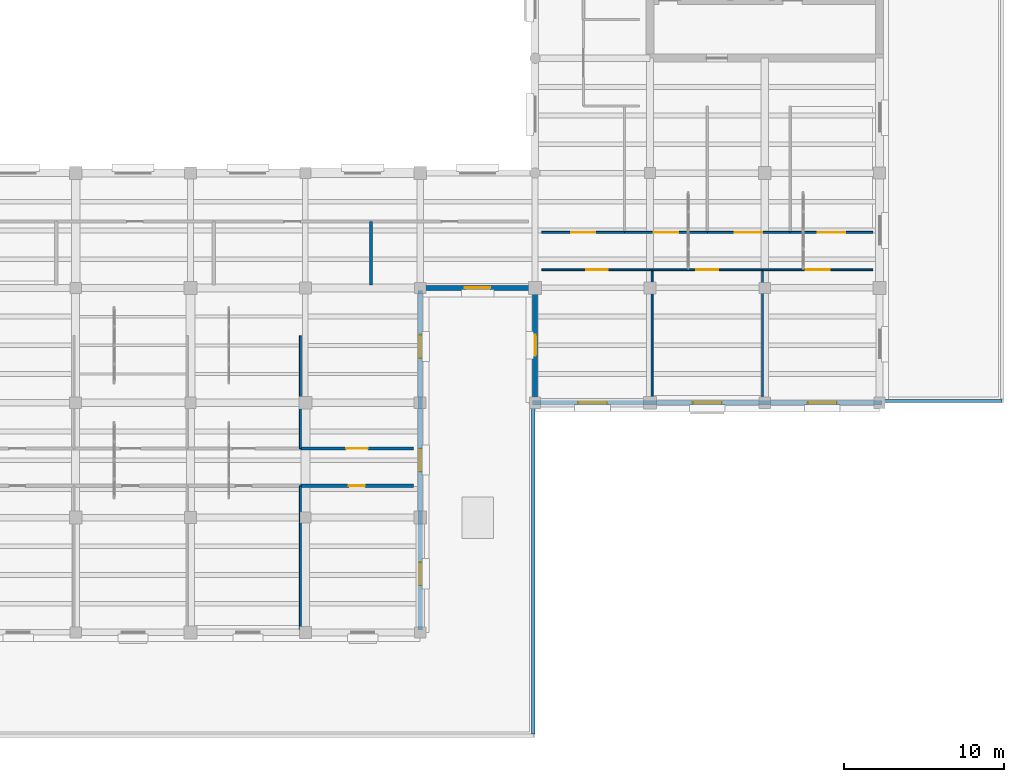
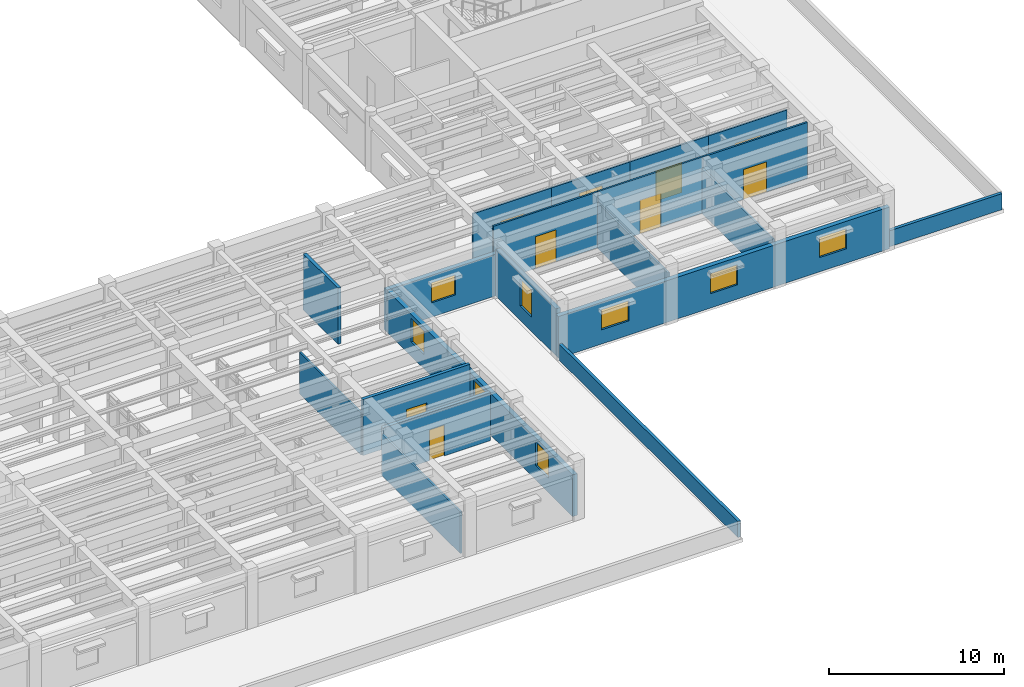
# One storey, part 59 of 76: 20 walls, 9 doors, 8 windows, 17 openings.
"""IFC4 building model written with IfcOpenShell, lengths in metres."""

import ifcopenshell
import ifcopenshell.guid

model = None  # the IFC model being written
_history = None  # IfcOwnerHistory: only IFC2X3 demands one
_inside = {}  # id of a spatial element -> (the spatial element, [elements in it])
_under = {}  # id of a project, library or spatial element -> (it, [spatial elements below it])
_declared = {}  # id of a project -> (the project, [libraries it declares])
_typed = {}  # id of a type object -> (the type object, [elements of that type])
_made_of = {}  # id of a material, layer set ... -> (it, [elements and type objects made of it])


def new_model(schema):
    """Start an empty IFC model of exactly this schema.

    Asked for "IFC4X3", IfcOpenShell would pick the latest addendum, in which some entities
    have other attributes; the version numbers below select the first issue.
    IFC2X3 requires an IfcOwnerHistory on every rooted entity: one is made here for all.
    """
    global model, _history
    if schema == "IFC4X3":
        model = ifcopenshell.file(schema_version=(4, 3, 0, 0))
    else:
        model = ifcopenshell.file(schema=schema)
    _inside.clear()
    _under.clear()
    _declared.clear()
    _typed.clear()
    _made_of.clear()
    _history = None
    if model.schema == "IFC2X3":
        org = make("IfcOrganization", Name="unknown")
        user = make(
            "IfcPersonAndOrganization",
            ThePerson=make("IfcPerson", FamilyName="unknown"),
            TheOrganization=org,
        )
        app = make(
            "IfcApplication",
            ApplicationDeveloper=org,
            Version="unknown",
            ApplicationFullName="unknown",
            ApplicationIdentifier="unknown",
        )
        _history = make(
            "IfcOwnerHistory",
            OwningUser=user,
            OwningApplication=app,
            ChangeAction="ADDED",
            CreationDate=0,
        )
    return model


def make(cls, **values):
    """One entity of the class cls with the attributes given. An attribute that is None is left unset."""
    return model.create_entity(
        cls, **{name: value for name, value in values.items() if value is not None}
    )


def rooted(cls, **values):
    """An entity with a GlobalId (a new one), such as an element, a storey or a relation."""
    return make(cls, GlobalId=ifcopenshell.guid.new(), OwnerHistory=_history, **values)


def si_unit(unit_type, name, prefix=None):
    """IfcSIUnit, for example si_unit("LENGTHUNIT", "METRE", prefix="MILLI")."""
    return make("IfcSIUnit", UnitType=unit_type, Prefix=prefix, Name=name)


def assignment(units):
    """IfcUnitAssignment: the units of a project."""
    return None if units is None else make("IfcUnitAssignment", Units=units)


def point(xyz):
    """IfcCartesianPoint."""
    return None if xyz is None else make("IfcCartesianPoint", Coordinates=xyz)


def direction(xyz):
    """IfcDirection."""
    return None if xyz is None else make("IfcDirection", DirectionRatios=xyz)


def frame(location, z_axis=None, x_axis=None):
    """IfcAxis2Placement3D, a coordinate frame: its origin and axes. An axis left out is left unset."""
    return make(
        "IfcAxis2Placement3D",
        Location=point(location),
        Axis=direction(z_axis),
        RefDirection=direction(x_axis),
    )


def frame_2d(location, x_axis=None):
    """IfcAxis2Placement2D, a coordinate frame in the plane: its origin and x axis."""
    return make(
        "IfcAxis2Placement2D", Location=point(location), RefDirection=direction(x_axis)
    )


def origin():
    """The frame at (0, 0, 0) with its axes left unset."""
    return frame((0.0, 0.0, 0.0))


def place(relative_to, where):
    """IfcLocalPlacement: puts the frame where relative to a parent placement (None: the world)."""
    return make(
        "IfcLocalPlacement", PlacementRelTo=relative_to, RelativePlacement=where
    )


def context(
    kind, dimensions, precision=None, world=None, true_north=None, identifier=None
):
    """IfcGeometricRepresentationContext, for example the 3D "Model" context."""
    return make(
        "IfcGeometricRepresentationContext",
        ContextIdentifier=identifier,
        ContextType=kind,
        CoordinateSpaceDimension=dimensions,
        Precision=precision,
        WorldCoordinateSystem=world,
        TrueNorth=true_north,
    )


def subcontext(parent, identifier, kind, view, scale=None):
    """IfcGeometricRepresentationSubContext, for example "Body" below "Model"."""
    return make(
        "IfcGeometricRepresentationSubContext",
        ContextIdentifier=identifier,
        ContextType=kind,
        ParentContext=parent,
        TargetScale=scale,
        TargetView=view,
    )


def project(units=None, contexts=None):
    """IfcProject with its units and contexts."""
    return rooted(
        "IfcProject",
        Name="project",
        RepresentationContexts=contexts,
        UnitsInContext=assignment(units),
    )


def spatial(cls, under=None, at=None, **own):
    """A site, building, storey or space (cls), placed at a placement, below another one or the project."""
    s = rooted(cls, ObjectPlacement=at, **own)
    if under is not None:
        _under.setdefault(under.id(), (under, []))[1].append(s)
    return s


def profile(cls, at=None, kind="AREA", **sizes):
    """A parametric profile (cls). Its sizes go by their IFC names, for example OverallWidth=200.0."""
    return make(cls, ProfileType=kind, Position=at, **sizes)


def rectangle(**sizes):
    """IfcRectangleProfileDef."""
    return profile("IfcRectangleProfileDef", **sizes)


def extrude(swept, where, along, depth):
    """IfcExtrudedAreaSolid: the profile swept, set in the frame where, extruded along a direction by depth."""
    return make(
        "IfcExtrudedAreaSolid",
        SweptArea=swept,
        Position=where,
        ExtrudedDirection=direction(along),
        Depth=depth,
    )


def shape(context_of_items, identifier, shape_type, items):
    """IfcShapeRepresentation: the items that make up one representation, for example the "Body"."""
    return make(
        "IfcShapeRepresentation",
        ContextOfItems=context_of_items,
        RepresentationIdentifier=identifier,
        RepresentationType=shape_type,
        Items=items,
    )


def material(Name=None, Category=None):
    """IfcMaterial."""
    return make("IfcMaterial", Name=Name, Category=Category)


def layer(
    of_material, thickness, ventilated=None, Name=None, Category=None, Priority=None
):
    """IfcMaterialLayer: one layer of a wall or slab, of a material (None: an air gap)."""
    return make(
        "IfcMaterialLayer",
        Material=of_material,
        LayerThickness=thickness,
        IsVentilated=ventilated,
        Name=Name,
        Category=Category,
        Priority=Priority,
    )


def layer_set(layers, Name=None):
    """IfcMaterialLayerSet."""
    return make("IfcMaterialLayerSet", MaterialLayers=layers, LayerSetName=Name)


def made_of(thing, what):
    """Note that an element or type object is made of a material, layer set ...; save() writes the relation."""
    if what is not None:
        _made_of.setdefault(what.id(), (what, []))[1].append(thing)
    return thing


def type_object(cls, material=None, **own):
    """A type object (cls), such as IfcWallType, which elements share."""
    return made_of(rooted(cls, **own), material)


def element(
    cls,
    number,
    at=None,
    inside=None,
    cuts=None,
    type_object=None,
    material=None,
    context=None,
    identifier="Body",
    shape_type=None,
    held_by="IfcProductDefinitionShape",
    body=None,
    shapes=None,
    **own,
):
    """One element of the class cls, such as IfcWall. Its Tag is "e" and its number.

    at: its placement. inside: the storey or other place that contains it. cuts: it is an
    opening in that element (IfcRelVoidsElement). A single representation is given by context,
    identifier, shape_type and body (its items); several are given by shapes. held_by: the class
    of the entity that holds the representations. save() writes the other relations.
    """
    e = rooted(cls, Tag="e%d" % number, ObjectPlacement=at, **own)
    if body is not None:
        shapes = [shape(context, identifier, shape_type, body)]
    if shapes is not None:
        e.Representation = make(held_by, Representations=shapes)
    if inside is not None:
        _inside.setdefault(inside.id(), (inside, []))[1].append(e)
    if cuts is not None:
        rooted(
            "IfcRelVoidsElement", RelatingBuildingElement=cuts, RelatedOpeningElement=e
        )
    if type_object is not None:
        _typed.setdefault(type_object.id(), (type_object, []))[1].append(e)
    return made_of(e, material)


def fill(opening, filler):
    """IfcRelFillsElement: the door or window that sits in an opening."""
    return rooted(
        "IfcRelFillsElement",
        RelatingOpeningElement=opening,
        RelatedBuildingElement=filler,
    )


def aggregate(whole, parts):
    """IfcRelAggregates: a whole, such as a stair, and the parts it consists of."""
    return rooted("IfcRelAggregates", RelatingObject=whole, RelatedObjects=parts)


def save(model, path):
    """Write the relations noted so far, then the file.

    IfcRelAggregates (storeys below a building ...), IfcRelContainedInSpatialStructure (elements
    in a storey), IfcRelDefinesByType, IfcRelAssociatesMaterial and IfcRelDeclares: one each for
    every whole, place, type object, material and project.
    """
    for whole, parts in _under.values():
        aggregate(whole, parts)
    for where, things in _inside.values():
        rooted(
            "IfcRelContainedInSpatialStructure",
            RelatedElements=things,
            RelatingStructure=where,
        )
    for kind, things in _typed.values():
        rooted("IfcRelDefinesByType", RelatedObjects=things, RelatingType=kind)
    for what, things in _made_of.values():
        rooted("IfcRelAssociatesMaterial", RelatedObjects=things, RelatingMaterial=what)
    for by, libraries in _declared.values():
        rooted("IfcRelDeclares", RelatingContext=by, RelatedDefinitions=libraries)
    model.write(path)


model = new_model("IFC4")

# Units and contexts
model_context = context("Model", 3, precision=1e-05, world=origin(), true_north=direction((0.0, 1.0)))
body_context = subcontext(model_context, "Body", "Model", "MODEL_VIEW")
ifc_project = project(units=[si_unit("LENGTHUNIT", "METRE"), si_unit("AREAUNIT", "SQUARE_METRE"), si_unit("VOLUMEUNIT", "CUBIC_METRE"), si_unit("PLANEANGLEUNIT", "RADIAN"), si_unit("MASSUNIT", "GRAM", prefix="KILO")], contexts=[model_context])

# Site, building, storey
site_placement = place(None, origin())
site = spatial("IfcSite", under=ifc_project, at=site_placement, CompositionType="ELEMENT")
building_placement = place(site_placement, origin())
building = spatial("IfcBuilding", under=site, at=building_placement, Name="Mithqara Police Headquarters", CompositionType="ELEMENT")
storey_placement = place(building_placement, frame((0.0, 0.0, 5.39990234375)))
storey = spatial("IfcBuildingStorey", under=building, at=storey_placement, Name="L01", CompositionType="ELEMENT", Elevation=5.39990234375)

# Wall, openings, windows
ifc_material_1 = material(Name="Ochre masonry cavity wall, 35 MPa", Category="masonry")
ifc_layer_1 = layer(ifc_material_1, 0.300048828125, Name="Ochre masonry cavity wall, 35 MPa")
ifc_layer_set_1 = layer_set([ifc_layer_1], Name="Ochre masonry cavity wall, 35 MPa")
wall_type_1 = type_object("IfcWallType", Name="EXT WALL OCHRE BRICK300", PredefinedType="SOLIDWALL", material=ifc_layer_set_1)
wall_1_placement = place(storey_placement, frame((137.39990234375, 6.75, 0.0), z_axis=(0.0, 0.0, 1.0), x_axis=(0.0, 1.0, 0.0)))
wall_1 = element("IfcWall", 1, at=wall_1_placement, inside=storey, type_object=wall_type_1, Name="L01 Exterior Wall 3.1", PredefinedType="SOLIDWALL", context=body_context, shape_type="SweptSolid", body=[
    extrude(rectangle(XDim=21.300048828125, YDim=0.300048828125, at=frame_2d((10.64990234375, 0.0))), origin(), (0.0, 0.0, 1.0), 2.920166015625),
])
opening_1_placement = place(wall_1_placement, frame((2.800048828125, 0.0, 1.0)))
opening_1 = element("IfcOpeningElement", 2, at=opening_1_placement, cuts=wall_1, Name="Opening W-22", PredefinedType="OPENING", context=body_context, shape_type="SweptSolid", body=[
    extrude(rectangle(XDim=1.449951171875, YDim=1.64990234375, at=frame_2d((0.72509765625, 0.824951171875))), frame((0.0, 0.16015625, 0.0), z_axis=(0.0, -1.0, 0.0), x_axis=(1.0, 0.0, 0.0)), (0.0, 0.0, 1.0), 0.320068359375),
])
opening_2_placement = place(wall_1_placement, frame((9.925048828125, 0.0, 1.0)))
opening_2 = element("IfcOpeningElement", 3, at=opening_2_placement, cuts=wall_1, Name="Opening W-22", PredefinedType="OPENING", context=body_context, shape_type="SweptSolid", body=[
    extrude(rectangle(XDim=1.449951171875, YDim=1.64990234375, at=frame_2d((0.72509765625, 0.824951171875))), frame((0.0, 0.16015625, 0.0), z_axis=(0.0, -1.0, 0.0), x_axis=(1.0, 0.0, 0.0)), (0.0, 0.0, 1.0), 0.320068359375),
])
opening_3_placement = place(wall_1_placement, frame((17.050048828125, 0.0, 1.0)))
opening_3 = element("IfcOpeningElement", 4, at=opening_3_placement, cuts=wall_1, Name="Opening W-22", PredefinedType="OPENING", context=body_context, shape_type="SweptSolid", body=[
    extrude(rectangle(XDim=1.449951171875, YDim=1.64990234375, at=frame_2d((0.72509765625, 0.824951171875))), frame((0.0, 0.16015625, 0.0), z_axis=(0.0, -1.0, 0.0), x_axis=(1.0, 0.0, 0.0)), (0.0, 0.0, 1.0), 0.320068359375),
])
ifc_material_2 = material(Name="Spectrally selective double low-e glass", Category="glass")
window_type_1 = type_object("IfcWindowType", Name="WINDOW 1450X1650", PartitioningType="SINGLE_PANEL", PredefinedType="WINDOW", material=ifc_material_2)
window_1_placement = place(opening_1_placement, origin())
window_1 = element("IfcWindow", 5, at=window_1_placement, inside=storey, type_object=window_type_1, Name="L01 Deep-Set Punched Window 3.1", OverallHeight=1.64990234375, OverallWidth=1.449951171875, PartitioningType="SINGLE_PANEL", PredefinedType="WINDOW", context=body_context, shape_type="SweptSolid", body=[
    extrude(rectangle(XDim=1.449951171875, YDim=1.64990234375, at=frame_2d((0.72509765625, 0.824951171875))), frame((0.0, 0.030029296875, 0.0), z_axis=(0.0, -1.0, 0.0), x_axis=(1.0, 0.0, 0.0)), (0.0, 0.0, 1.0), 0.06005859375),
])
fill(opening_1, window_1)
window_2_placement = place(opening_2_placement, origin())
window_2 = element("IfcWindow", 6, at=window_2_placement, inside=storey, type_object=window_type_1, Name="L01 Deep-Set Punched Window 3.2", OverallHeight=1.64990234375, OverallWidth=1.449951171875, PartitioningType="SINGLE_PANEL", PredefinedType="WINDOW", context=body_context, shape_type="SweptSolid", body=[
    extrude(rectangle(XDim=1.449951171875, YDim=1.64990234375, at=frame_2d((0.72509765625, 0.824951171875))), frame((0.0, 0.030029296875, 0.0), z_axis=(0.0, -1.0, 0.0), x_axis=(1.0, 0.0, 0.0)), (0.0, 0.0, 1.0), 0.06005859375),
])
fill(opening_2, window_2)
window_3_placement = place(opening_3_placement, origin())
window_3 = element("IfcWindow", 7, at=window_3_placement, inside=storey, type_object=window_type_1, Name="L01 Deep-Set Punched Window 3.3", OverallHeight=1.64990234375, OverallWidth=1.449951171875, PartitioningType="SINGLE_PANEL", PredefinedType="WINDOW", context=body_context, shape_type="SweptSolid", body=[
    extrude(rectangle(XDim=1.449951171875, YDim=1.64990234375, at=frame_2d((0.72509765625, 0.824951171875))), frame((0.0, 0.030029296875, 0.0), z_axis=(0.0, -1.0, 0.0), x_axis=(1.0, 0.0, 0.0)), (0.0, 0.0, 1.0), 0.06005859375),
])
fill(opening_3, window_3)

# Wall, opening, window
wall_2_placement = place(storey_placement, frame((137.25, 28.199951171875, 0.0), z_axis=(0.0, 0.0, 1.0), x_axis=(1.0, 0.0, 0.0)))
wall_2 = element("IfcWall", 8, at=wall_2_placement, inside=storey, type_object=wall_type_1, Name="L01 Exterior Wall 4.1", PredefinedType="SOLIDWALL", context=body_context, shape_type="SweptSolid", body=[
    extrude(rectangle(XDim=7.5, YDim=0.300048828125, at=frame_2d((3.75, 0.0))), origin(), (0.0, 0.0, 1.0), 2.920166015625),
])
opening_4_placement = place(wall_2_placement, frame((2.949951171875, 0.0, 1.0)))
opening_4 = element("IfcOpeningElement", 9, at=opening_4_placement, cuts=wall_2, Name="Opening W-26", PredefinedType="OPENING", context=body_context, shape_type="SweptSolid", body=[
    extrude(rectangle(XDim=1.60009765625, YDim=1.39990234375, at=frame_2d((0.800048828125, 0.699951171875))), frame((0.0, 0.16015625, 0.0), z_axis=(0.0, -1.0, 0.0), x_axis=(1.0, 0.0, 0.0)), (0.0, 0.0, 1.0), 0.320068359375),
])
window_type_2 = type_object("IfcWindowType", Name="WINDOW 1600X1400", PartitioningType="SINGLE_PANEL", PredefinedType="WINDOW", material=ifc_material_2)
window_4_placement = place(opening_4_placement, origin())
window_4 = element("IfcWindow", 10, at=window_4_placement, inside=storey, type_object=window_type_2, Name="L01 Deep-Set Punched Window 4.1", OverallHeight=1.39990234375, OverallWidth=1.60009765625, PartitioningType="SINGLE_PANEL", PredefinedType="WINDOW", context=body_context, shape_type="SweptSolid", body=[
    extrude(rectangle(XDim=1.60009765625, YDim=1.39990234375, at=frame_2d((0.800048828125, 0.699951171875))), frame((0.0, 0.030029296875, 0.0), z_axis=(0.0, -1.0, 0.0), x_axis=(1.0, 0.0, 0.0)), (0.0, 0.0, 1.0), 0.06005859375),
])
fill(opening_4, window_4)

wall_3_placement = place(storey_placement, frame((144.60009765625, 28.050048828125, 0.0), z_axis=(0.0, 0.0, 1.0), x_axis=(0.0, -1.0, 0.0)))
wall_3 = element("IfcWall", 11, at=wall_3_placement, inside=storey, type_object=wall_type_1, Name="L01 Exterior Wall 5.1", PredefinedType="SOLIDWALL", context=body_context, shape_type="SweptSolid", body=[
    extrude(rectangle(XDim=6.900146484375, YDim=0.300048828125, at=frame_2d((3.4501953125, 0.0))), origin(), (0.0, 0.0, 1.0), 3.27001953125),
])
opening_5_placement = place(wall_3_placement, frame((2.800048828125, 0.0, 1.0)))
opening_5 = element("IfcOpeningElement", 12, at=opening_5_placement, cuts=wall_3, Name="Opening W-18", PredefinedType="OPENING", context=body_context, shape_type="SweptSolid", body=[
    extrude(rectangle(XDim=1.300048828125, YDim=1.89990234375, at=frame_2d((0.64990234375, 0.949951171875))), frame((0.0, 0.16015625, 0.0), z_axis=(0.0, -1.0, 0.0), x_axis=(1.0, 0.0, 0.0)), (0.0, 0.0, 1.0), 0.320068359375),
])
window_type_3 = type_object("IfcWindowType", Name="WINDOW 1300X1900", PartitioningType="SINGLE_PANEL", PredefinedType="WINDOW", material=ifc_material_2)
window_5_placement = place(opening_5_placement, origin())
window_5 = element("IfcWindow", 13, at=window_5_placement, inside=storey, type_object=window_type_3, Name="L01 Deep-Set Punched Window 5.1", OverallHeight=1.89990234375, OverallWidth=1.300048828125, PartitioningType="SINGLE_PANEL", PredefinedType="WINDOW", context=body_context, shape_type="SweptSolid", body=[
    extrude(rectangle(XDim=1.300048828125, YDim=1.89990234375, at=frame_2d((0.64990234375, 0.949951171875))), frame((0.0, 0.030029296875, 0.0), z_axis=(0.0, -1.0, 0.0), x_axis=(1.0, 0.0, 0.0)), (0.0, 0.0, 1.0), 0.06005859375),
])
fill(opening_5, window_5)

# Wall, openings, windows
wall_4_placement = place(storey_placement, frame((144.449951171875, 21.0, 0.0), z_axis=(0.0, 0.0, 1.0), x_axis=(1.0, 0.0, 0.0)))
wall_4 = element("IfcWall", 14, at=wall_4_placement, inside=storey, type_object=wall_type_1, Name="L01 Exterior Wall 6.1", PredefinedType="SOLIDWALL", context=body_context, shape_type="SweptSolid", body=[
    extrude(rectangle(XDim=21.900146484375, YDim=0.300048828125, at=frame_2d((10.9501953125, 0.0))), origin(), (0.0, 0.0, 1.0), 2.920166015625),
])
opening_6_placement = place(wall_4_placement, frame((2.85009765625, 0.0, 1.0)))
opening_6 = element("IfcOpeningElement", 15, at=opening_6_placement, cuts=wall_4, Name="Opening W-31", PredefinedType="OPENING", context=body_context, shape_type="SweptSolid", body=[
    extrude(rectangle(XDim=1.800048828125, YDim=1.39990234375, at=frame_2d((0.89990234375, 0.699951171875))), frame((0.0, 0.16015625, 0.0), z_axis=(0.0, -1.0, 0.0), x_axis=(1.0, 0.0, 0.0)), (0.0, 0.0, 1.0), 0.320068359375),
])
opening_7_placement = place(wall_4_placement, frame((10.050048828125, 0.0, 1.0)))
opening_7 = element("IfcOpeningElement", 16, at=opening_7_placement, cuts=wall_4, Name="Opening W-31", PredefinedType="OPENING", context=body_context, shape_type="SweptSolid", body=[
    extrude(rectangle(XDim=1.800048828125, YDim=1.39990234375, at=frame_2d((0.89990234375, 0.699951171875))), frame((0.0, 0.16015625, 0.0), z_axis=(0.0, -1.0, 0.0), x_axis=(1.0, 0.0, 0.0)), (0.0, 0.0, 1.0), 0.320068359375),
])
opening_8_placement = place(wall_4_placement, frame((17.25, 0.0, 1.0)))
opening_8 = element("IfcOpeningElement", 17, at=opening_8_placement, cuts=wall_4, Name="Opening W-31", PredefinedType="OPENING", context=body_context, shape_type="SweptSolid", body=[
    extrude(rectangle(XDim=1.800048828125, YDim=1.39990234375, at=frame_2d((0.89990234375, 0.699951171875))), frame((0.0, 0.16015625, 0.0), z_axis=(0.0, -1.0, 0.0), x_axis=(1.0, 0.0, 0.0)), (0.0, 0.0, 1.0), 0.320068359375),
])
window_type_4 = type_object("IfcWindowType", Name="WINDOW 1800X1400", PartitioningType="DOUBLE_PANEL_VERTICAL", PredefinedType="WINDOW", material=ifc_material_2)
window_6_placement = place(opening_6_placement, origin())
window_6 = element("IfcWindow", 18, at=window_6_placement, inside=storey, type_object=window_type_4, Name="L01 Deep-Set Punched Window 6.1", OverallHeight=1.39990234375, OverallWidth=1.800048828125, PartitioningType="SINGLE_PANEL", PredefinedType="WINDOW", context=body_context, shape_type="SweptSolid", body=[
    extrude(rectangle(XDim=1.800048828125, YDim=1.39990234375, at=frame_2d((0.89990234375, 0.699951171875))), frame((0.0, 0.030029296875, 0.0), z_axis=(0.0, -1.0, 0.0), x_axis=(1.0, 0.0, 0.0)), (0.0, 0.0, 1.0), 0.06005859375),
])
fill(opening_6, window_6)
window_7_placement = place(opening_7_placement, origin())
window_7 = element("IfcWindow", 19, at=window_7_placement, inside=storey, type_object=window_type_4, Name="L01 Deep-Set Punched Window 6.2", OverallHeight=1.39990234375, OverallWidth=1.800048828125, PartitioningType="SINGLE_PANEL", PredefinedType="WINDOW", context=body_context, shape_type="SweptSolid", body=[
    extrude(rectangle(XDim=1.800048828125, YDim=1.39990234375, at=frame_2d((0.89990234375, 0.699951171875))), frame((0.0, 0.030029296875, 0.0), z_axis=(0.0, -1.0, 0.0), x_axis=(1.0, 0.0, 0.0)), (0.0, 0.0, 1.0), 0.06005859375),
])
fill(opening_7, window_7)
window_8_placement = place(opening_8_placement, origin())
window_8 = element("IfcWindow", 20, at=window_8_placement, inside=storey, type_object=window_type_4, Name="L01 Deep-Set Punched Window 6.3", OverallHeight=1.39990234375, OverallWidth=1.800048828125, PartitioningType="SINGLE_PANEL", PredefinedType="WINDOW", context=body_context, shape_type="SweptSolid", body=[
    extrude(rectangle(XDim=1.800048828125, YDim=1.39990234375, at=frame_2d((0.89990234375, 0.699951171875))), frame((0.0, 0.030029296875, 0.0), z_axis=(0.0, -1.0, 0.0), x_axis=(1.0, 0.0, 0.0)), (0.0, 0.0, 1.0), 0.06005859375),
])
fill(opening_8, window_8)

# Walls
ifc_material_3 = material(Name="Limestone ashlar masonry, 45 MPa", Category="masonry")
ifc_layer_2 = layer(ifc_material_3, 0.199951171875, Name="Limestone ashlar masonry, 45 MPa")
ifc_layer_set_2 = layer_set([ifc_layer_2], Name="Limestone ashlar masonry, 45 MPa")
wall_type_2 = type_object("IfcWallType", Name="PARAPET WALL 200", PredefinedType="PARAPET", material=ifc_layer_set_2)
wall_5_placement = place(storey_placement, frame((173.889892578125, 21.110107421875, 0.0), z_axis=(0.0, 0.0, 1.0), x_axis=(-1.0, 0.0, 0.0)))
element("IfcWall", 21, at=wall_5_placement, inside=storey, type_object=wall_type_2, Name="L01 Limestone Roof Parapet ROOF-L00-02-2", PredefinedType="PARAPET", context=body_context, shape_type="SweptSolid", body=[
    extrude(rectangle(XDim=7.469970703125, YDim=0.199951171875, at=frame_2d((3.73486328125, 0.0))), origin(), (0.0, 0.0, 1.0), 1.1201171875),
])
wall_6_placement = place(storey_placement, frame((144.489990234375, 20.69970703125, 0.0), z_axis=(0.0, 0.0, 1.0), x_axis=(0.0, -1.0, 0.0)))
element("IfcWall", 22, at=wall_6_placement, inside=storey, type_object=wall_type_2, Name="L01 Limestone Roof Parapet ROOF-L00-03-70", PredefinedType="PARAPET", context=body_context, shape_type="SweptSolid", body=[
    extrude(rectangle(XDim=20.479736328125, YDim=0.199951171875, at=frame_2d((10.23974609375, 0.0))), origin(), (0.0, 0.0, 1.0), 1.1201171875),
])

# Wall, opening, door
ifc_material_4 = material(Name="Gypsum acoustic stud partition", Category="gypsum")
ifc_layer_3 = layer(ifc_material_4, 0.1201171875, Name="Gypsum acoustic stud partition")
ifc_layer_set_3 = layer_set([ifc_layer_3], Name="Gypsum acoustic stud partition")
wall_type_3 = type_object("IfcWallType", Name="PART WALL 120", PredefinedType="PARTITIONING", material=ifc_layer_set_3)
wall_7_placement = place(storey_placement, frame((145.02001953125, 29.340087890625, 0.0), z_axis=(0.0, 0.0, 1.0), x_axis=(1.0, 0.0, 0.0)))
wall_7 = element("IfcWall", 23, at=wall_7_placement, inside=storey, type_object=wall_type_3, Name="L01 Corridor Wall Forensic Laboratory", PredefinedType="PARTITIONING", context=body_context, shape_type="SweptSolid", body=[
    extrude(rectangle(XDim=6.919921875, YDim=0.1201171875, at=frame_2d((3.4599609375, 0.0))), origin(), (0.0, 0.0, 1.0), 3.920166015625),
])
opening_9_placement = place(wall_7_placement, frame((2.780029296875, 0.0, 0.0)))
opening_9 = element("IfcOpeningElement", 24, at=opening_9_placement, cuts=wall_7, Name="Opening D-17", PredefinedType="OPENING", context=body_context, shape_type="SweptSolid", body=[
    extrude(rectangle(XDim=1.360107421875, YDim=2.219970703125, at=frame_2d((0.68017578125, 1.10986328125))), frame((0.0, 0.070068359375, 0.0), z_axis=(0.0, -1.0, 0.0), x_axis=(1.0, 0.0, 0.0)), (0.0, 0.0, 1.0), 0.14013671875),
])
ifc_material_5 = material(Name="Bronze anodised aluminium 6063-T6", Category="aluminium")
door_type_1 = type_object("IfcDoorType", Name="INT DOOR 1360X2220", OperationType="NOTDEFINED", PredefinedType="DOOR", material=ifc_material_5)
door_1_placement = place(opening_9_placement, frame((1.360107421875, 0.0, 0.0), z_axis=(0.0, 0.0, 1.0), x_axis=(-1.0, 0.0, 0.0)))
door_1 = element("IfcDoor", 25, at=door_1_placement, inside=storey, type_object=door_type_1, Name="Forensic Laboratory Entry Door", OperationType="SINGLE_SWING_RIGHT", OverallHeight=2.219970703125, OverallWidth=1.360107421875, PredefinedType="DOOR", context=body_context, shape_type="SweptSolid", body=[
    extrude(rectangle(XDim=1.360107421875, YDim=2.219970703125, at=frame_2d((0.68017578125, 1.10986328125))), frame((0.0, 0.02490234375, 0.0), z_axis=(0.0, -1.0, 0.0), x_axis=(1.0, 0.0, 0.0)), (0.0, 0.0, 1.0), 0.050048828125),
])
fill(opening_9, door_1)

# Wall
wall_8_placement = place(storey_placement, frame((151.93994140625, 21.179931640625, 0.0), z_axis=(0.0, 0.0, 1.0), x_axis=(0.0, 1.0, 0.0)))
element("IfcWall", 26, at=wall_8_placement, inside=storey, type_object=wall_type_3, Name="L01 Room Partition Forensic Laboratory", PredefinedType="PARTITIONING", context=body_context, shape_type="SweptSolid", body=[
    extrude(rectangle(XDim=8.16015625, YDim=0.1201171875, at=frame_2d((4.080078125, 0.0))), origin(), (0.0, 0.0, 1.0), 3.170166015625),
])

# Wall, opening, door
wall_9_placement = place(storey_placement, frame((151.93994140625, 29.340087890625, 0.0), z_axis=(0.0, 0.0, 1.0), x_axis=(1.0, 0.0, 0.0)))
wall_9 = element("IfcWall", 27, at=wall_9_placement, inside=storey, type_object=wall_type_3, Name="L01 Corridor Wall Latent Prints Laboratory", PredefinedType="PARTITIONING", context=body_context, shape_type="SweptSolid", body=[
    extrude(rectangle(XDim=6.920166015625, YDim=0.1201171875, at=frame_2d((3.4599609375, 0.0))), origin(), (0.0, 0.0, 1.0), 3.920166015625),
])
opening_10_placement = place(wall_9_placement, frame((2.780029296875, 0.0, 0.0)))
opening_10 = element("IfcOpeningElement", 28, at=opening_10_placement, cuts=wall_9, Name="Opening D-18", PredefinedType="OPENING", context=body_context, shape_type="SweptSolid", body=[
    extrude(rectangle(XDim=1.360107421875, YDim=2.35009765625, at=frame_2d((0.68017578125, 1.175048828125))), frame((0.0, 0.070068359375, 0.0), z_axis=(0.0, -1.0, 0.0), x_axis=(1.0, 0.0, 0.0)), (0.0, 0.0, 1.0), 0.14013671875),
])
door_type_2 = type_object("IfcDoorType", Name="INT DOOR 1360X2350", OperationType="NOTDEFINED", PredefinedType="DOOR", material=ifc_material_5)
door_2_placement = place(opening_10_placement, frame((1.360107421875, 0.0, 0.0), z_axis=(0.0, 0.0, 1.0), x_axis=(-1.0, 0.0, 0.0)))
door_2 = element("IfcDoor", 29, at=door_2_placement, inside=storey, type_object=door_type_2, Name="Latent Prints Laboratory Entry Door", OperationType="SINGLE_SWING_LEFT", OverallHeight=2.35009765625, OverallWidth=1.360107421875, PredefinedType="DOOR", context=body_context, shape_type="SweptSolid", body=[
    extrude(rectangle(XDim=1.360107421875, YDim=2.35009765625, at=frame_2d((0.68017578125, 1.175048828125))), frame((0.0, 0.02490234375, 0.0), z_axis=(0.0, -1.0, 0.0), x_axis=(1.0, 0.0, 0.0)), (0.0, 0.0, 1.0), 0.050048828125),
])
fill(opening_10, door_2)

# Wall
wall_10_placement = place(storey_placement, frame((158.860107421875, 21.179931640625, 0.0), z_axis=(0.0, 0.0, 1.0), x_axis=(0.0, 1.0, 0.0)))
element("IfcWall", 30, at=wall_10_placement, inside=storey, type_object=wall_type_3, Name="L01 Room Partition Latent Prints Laboratory", PredefinedType="PARTITIONING", context=body_context, shape_type="SweptSolid", body=[
    extrude(rectangle(XDim=8.16015625, YDim=0.1201171875, at=frame_2d((4.080078125, 0.0))), origin(), (0.0, 0.0, 1.0), 3.1201171875),
])

# Wall, opening, door
wall_11_placement = place(storey_placement, frame((158.860107421875, 29.340087890625, 0.0), z_axis=(0.0, 0.0, 1.0), x_axis=(1.0, 0.0, 0.0)))
wall_11 = element("IfcWall", 31, at=wall_11_placement, inside=storey, type_object=wall_type_3, Name="L01 Corridor Wall Questioned Documents Laboratory", PredefinedType="PARTITIONING", context=body_context, shape_type="SweptSolid", body=[
    extrude(rectangle(XDim=6.919921875, YDim=0.1201171875, at=frame_2d((3.4599609375, 0.0))), origin(), (0.0, 0.0, 1.0), 3.920166015625),
])
opening_11_placement = place(wall_11_placement, frame((2.699951171875, 0.0, 0.0)))
opening_11 = element("IfcOpeningElement", 32, at=opening_11_placement, cuts=wall_11, Name="Opening D-19", PredefinedType="OPENING", context=body_context, shape_type="SweptSolid", body=[
    extrude(rectangle(XDim=1.52001953125, YDim=2.10009765625, at=frame_2d((0.760009765625, 1.050048828125))), frame((0.0, 0.070068359375, 0.0), z_axis=(0.0, -1.0, 0.0), x_axis=(1.0, 0.0, 0.0)), (0.0, 0.0, 1.0), 0.14013671875),
])
door_type_3 = type_object("IfcDoorType", Name="INT DOOR 1520X2100", OperationType="NOTDEFINED", PredefinedType="DOOR", material=ifc_material_5)
door_3_placement = place(opening_11_placement, frame((1.52001953125, 0.0, 0.0), z_axis=(0.0, 0.0, 1.0), x_axis=(-1.0, 0.0, 0.0)))
door_3 = element("IfcDoor", 33, at=door_3_placement, inside=storey, type_object=door_type_3, Name="Questioned Documents Laboratory Entry Door", OperationType="DOUBLE_DOOR_SINGLE_SWING", OverallHeight=2.10009765625, OverallWidth=1.52001953125, PredefinedType="DOOR", context=body_context, shape_type="SweptSolid", body=[
    extrude(rectangle(XDim=1.52001953125, YDim=2.10009765625, at=frame_2d((0.760009765625, 1.050048828125))), frame((0.0, 0.02490234375, 0.0), z_axis=(0.0, -1.0, 0.0), x_axis=(1.0, 0.0, 0.0)), (0.0, 0.0, 1.0), 0.050048828125),
])
fill(opening_11, door_3)

wall_12_placement = place(storey_placement, frame((145.02001953125, 31.679931640625, 0.0), z_axis=(0.0, 0.0, 1.0), x_axis=(1.0, 0.0, 0.0)))
wall_12 = element("IfcWall", 34, at=wall_12_placement, inside=storey, type_object=wall_type_3, Name="L01 Corridor Wall Photography Darkroom", PredefinedType="PARTITIONING", context=body_context, shape_type="SweptSolid", body=[
    extrude(rectangle(XDim=5.18994140625, YDim=0.1201171875, at=frame_2d((2.594970703125, 0.0))), origin(), (0.0, 0.0, 1.0), 3.3701171875),
])
opening_12_placement = place(wall_12_placement, frame((1.8349609375, 0.0, 0.0)))
opening_12 = element("IfcOpeningElement", 35, at=opening_12_placement, cuts=wall_12, Name="Opening D-20", PredefinedType="OPENING", context=body_context, shape_type="SweptSolid", body=[
    extrude(rectangle(XDim=1.52001953125, YDim=2.219970703125, at=frame_2d((0.760009765625, 1.10986328125))), frame((0.0, 0.070068359375, 0.0), z_axis=(0.0, -1.0, 0.0), x_axis=(1.0, 0.0, 0.0)), (0.0, 0.0, 1.0), 0.14013671875),
])
door_type_4 = type_object("IfcDoorType", Name="INT DOOR 1520X2220", OperationType="NOTDEFINED", PredefinedType="DOOR", material=ifc_material_5)
door_4_placement = place(opening_12_placement, origin())
door_4 = element("IfcDoor", 36, at=door_4_placement, inside=storey, type_object=door_type_4, Name="Photography Darkroom Entry Door", OperationType="DOUBLE_DOOR_SINGLE_SWING", OverallHeight=2.219970703125, OverallWidth=1.52001953125, PredefinedType="DOOR", context=body_context, shape_type="SweptSolid", body=[
    extrude(rectangle(XDim=1.52001953125, YDim=2.219970703125, at=frame_2d((0.760009765625, 1.10986328125))), frame((0.0, 0.02490234375, 0.0), z_axis=(0.0, -1.0, 0.0), x_axis=(1.0, 0.0, 0.0)), (0.0, 0.0, 1.0), 0.050048828125),
])
fill(opening_12, door_4)

wall_13_placement = place(storey_placement, frame((150.2099609375, 31.679931640625, 0.0), z_axis=(0.0, 0.0, 1.0), x_axis=(1.0, 0.0, 0.0)))
wall_13 = element("IfcWall", 37, at=wall_13_placement, inside=storey, type_object=wall_type_3, Name="L01 Corridor Wall Forensic Laboratory", PredefinedType="PARTITIONING", context=body_context, shape_type="SweptSolid", body=[
    extrude(rectangle(XDim=5.18994140625, YDim=0.1201171875, at=frame_2d((2.594970703125, 0.0))), origin(), (0.0, 0.0, 1.0), 3.3701171875),
])
opening_13_placement = place(wall_13_placement, frame((1.8349609375, 0.0, 0.0)))
opening_13 = element("IfcOpeningElement", 38, at=opening_13_placement, cuts=wall_13, Name="Opening D-21", PredefinedType="OPENING", context=body_context, shape_type="SweptSolid", body=[
    extrude(rectangle(XDim=1.52001953125, YDim=2.35009765625, at=frame_2d((0.760009765625, 1.175048828125))), frame((0.0, 0.070068359375, 0.0), z_axis=(0.0, -1.0, 0.0), x_axis=(1.0, 0.0, 0.0)), (0.0, 0.0, 1.0), 0.14013671875),
])
door_type_5 = type_object("IfcDoorType", Name="INT DOOR 1520X2350", OperationType="NOTDEFINED", PredefinedType="DOOR", material=ifc_material_5)
door_5_placement = place(opening_13_placement, origin())
door_5 = element("IfcDoor", 39, at=door_5_placement, inside=storey, type_object=door_type_5, Name="Forensic Laboratory Entry Door", OperationType="DOUBLE_DOOR_SINGLE_SWING", OverallHeight=2.35009765625, OverallWidth=1.52001953125, PredefinedType="DOOR", context=body_context, shape_type="SweptSolid", body=[
    extrude(rectangle(XDim=1.52001953125, YDim=2.35009765625, at=frame_2d((0.760009765625, 1.175048828125))), frame((0.0, 0.02490234375, 0.0), z_axis=(0.0, -1.0, 0.0), x_axis=(1.0, 0.0, 0.0)), (0.0, 0.0, 1.0), 0.050048828125),
])
fill(opening_13, door_5)

wall_14_placement = place(storey_placement, frame((155.39990234375, 31.679931640625, 0.0), z_axis=(0.0, 0.0, 1.0), x_axis=(1.0, 0.0, 0.0)))
wall_14 = element("IfcWall", 40, at=wall_14_placement, inside=storey, type_object=wall_type_3, Name="L01 Corridor Wall Latent Prints Laboratory", PredefinedType="PARTITIONING", context=body_context, shape_type="SweptSolid", body=[
    extrude(rectangle(XDim=5.190185546875, YDim=0.1201171875, at=frame_2d((2.59521484375, 0.0))), origin(), (0.0, 0.0, 1.0), 3.3701171875),
])
opening_14_placement = place(wall_14_placement, frame((1.735107421875, 0.0, 0.0)))
opening_14 = element("IfcOpeningElement", 41, at=opening_14_placement, cuts=wall_14, Name="Opening D-22", PredefinedType="OPENING", context=body_context, shape_type="SweptSolid", body=[
    extrude(rectangle(XDim=1.719970703125, YDim=2.10009765625, at=frame_2d((0.85986328125, 1.050048828125))), frame((0.0, 0.070068359375, 0.0), z_axis=(0.0, -1.0, 0.0), x_axis=(1.0, 0.0, 0.0)), (0.0, 0.0, 1.0), 0.14013671875),
])
door_type_6 = type_object("IfcDoorType", Name="INT DOOR 1720X2100", OperationType="NOTDEFINED", PredefinedType="DOOR", material=ifc_material_5)
door_6_placement = place(opening_14_placement, origin())
door_6 = element("IfcDoor", 42, at=door_6_placement, inside=storey, type_object=door_type_6, Name="Latent Prints Laboratory Entry Door", OperationType="DOUBLE_DOOR_SINGLE_SWING", OverallHeight=2.10009765625, OverallWidth=1.719970703125, PredefinedType="DOOR", context=body_context, shape_type="SweptSolid", body=[
    extrude(rectangle(XDim=1.719970703125, YDim=2.10009765625, at=frame_2d((0.85986328125, 1.050048828125))), frame((0.0, 0.02490234375, 0.0), z_axis=(0.0, -1.0, 0.0), x_axis=(1.0, 0.0, 0.0)), (0.0, 0.0, 1.0), 0.050048828125),
])
fill(opening_14, door_6)

wall_15_placement = place(storey_placement, frame((160.590087890625, 31.679931640625, 0.0), z_axis=(0.0, 0.0, 1.0), x_axis=(1.0, 0.0, 0.0)))
wall_15 = element("IfcWall", 43, at=wall_15_placement, inside=storey, type_object=wall_type_3, Name="L01 Corridor Wall Questioned Documents Laboratory", PredefinedType="PARTITIONING", context=body_context, shape_type="SweptSolid", body=[
    extrude(rectangle(XDim=5.18994140625, YDim=0.1201171875, at=frame_2d((2.594970703125, 0.0))), origin(), (0.0, 0.0, 1.0), 3.3701171875),
])
opening_15_placement = place(wall_15_placement, frame((1.735107421875, 0.0, 0.0)))
opening_15 = element("IfcOpeningElement", 44, at=opening_15_placement, cuts=wall_15, Name="Opening D-23", PredefinedType="OPENING", context=body_context, shape_type="SweptSolid", body=[
    extrude(rectangle(XDim=1.719970703125, YDim=2.219970703125, at=frame_2d((0.85986328125, 1.10986328125))), frame((0.0, 0.070068359375, 0.0), z_axis=(0.0, -1.0, 0.0), x_axis=(1.0, 0.0, 0.0)), (0.0, 0.0, 1.0), 0.14013671875),
])
door_type_7 = type_object("IfcDoorType", Name="INT DOOR 1720X2220", OperationType="NOTDEFINED", PredefinedType="DOOR", material=ifc_material_5)
door_7_placement = place(opening_15_placement, origin())
door_7 = element("IfcDoor", 45, at=door_7_placement, inside=storey, type_object=door_type_7, Name="Questioned Documents Laboratory Entry Door", OperationType="DOUBLE_DOOR_SINGLE_SWING", OverallHeight=2.219970703125, OverallWidth=1.719970703125, PredefinedType="DOOR", context=body_context, shape_type="SweptSolid", body=[
    extrude(rectangle(XDim=1.719970703125, YDim=2.219970703125, at=frame_2d((0.85986328125, 1.10986328125))), frame((0.0, 0.02490234375, 0.0), z_axis=(0.0, -1.0, 0.0), x_axis=(1.0, 0.0, 0.0)), (0.0, 0.0, 1.0), 0.050048828125),
])
fill(opening_15, door_7)

# Walls
wall_16_placement = place(storey_placement, frame((129.885009765625, 6.780029296875, 0.0), z_axis=(0.0, 0.0, 1.0), x_axis=(0.0, 1.0, 0.0)))
element("IfcWall", 46, at=wall_16_placement, inside=storey, type_object=wall_type_3, Name="L01 Room Partition Custody Cell Block Male", PredefinedType="PARTITIONING", context=body_context, shape_type="SweptSolid", body=[
    extrude(rectangle(XDim=9.010009765625, YDim=0.1201171875, at=frame_2d((4.5048828125, 0.0))), origin(), (0.0, 0.0, 1.0), 2.920166015625),
])
wall_17_placement = place(storey_placement, frame((129.885009765625, 18.1298828125, 0.0), z_axis=(0.0, 0.0, 1.0), x_axis=(0.0, 1.0, 0.0)))
element("IfcWall", 47, at=wall_17_placement, inside=storey, type_object=wall_type_3, Name="L01 Room Partition Custody Interview Room", PredefinedType="PARTITIONING", context=body_context, shape_type="SweptSolid", body=[
    extrude(rectangle(XDim=7.070068359375, YDim=0.1201171875, at=frame_2d((3.53515625, 0.0))), origin(), (0.0, 0.0, 1.0), 2.920166015625),
])
ifc_material_6 = material(Name="Concrete C40/50", Category="concrete")
ifc_layer_4 = layer(ifc_material_6, 0.2099609375, Name="Concrete C40/50")
ifc_layer_set_4 = layer_set([ifc_layer_4], Name="Concrete C40/50")
wall_type_4 = type_object("IfcWallType", Name="PART WALL 210", PredefinedType="PARTITIONING", material=ifc_layer_set_4)
wall_18_placement = place(storey_placement, frame((134.31396484375, 28.3798828125, 0.0), z_axis=(0.0, 0.0, 1.0), x_axis=(0.0, 1.0, 0.0)))
element("IfcWall", 48, at=wall_18_placement, inside=storey, type_object=wall_type_4, Name="L01 Room Partition Juvenile Welfare Consultation Room", PredefinedType="PARTITIONING", context=body_context, shape_type="SweptSolid", body=[
    extrude(rectangle(XDim=3.980224609375, YDim=0.2099609375, at=frame_2d((1.990234375, 0.0))), origin(), (0.0, 0.0, 1.0), 3.920166015625),
])

# Wall, opening, door
wall_19_placement = place(storey_placement, frame((129.885009765625, 15.7900390625, 0.0), z_axis=(0.0, 0.0, 1.0), x_axis=(1.0, 0.0, 0.0)))
wall_19 = element("IfcWall", 49, at=wall_19_placement, inside=storey, type_object=wall_type_4, Name="L01 Corridor Wall Custody Cell Block Female", PredefinedType="PARTITIONING", context=body_context, shape_type="SweptSolid", body=[
    extrude(rectangle(XDim=7.094970703125, YDim=0.2099609375, at=frame_2d((3.54736328125, 0.0))), origin(), (0.0, 0.0, 1.0), 3.3701171875),
])
opening_16_placement = place(wall_19_placement, frame((3.047607421875, 0.0, 0.0)))
opening_16 = element("IfcOpeningElement", 50, at=opening_16_placement, cuts=wall_19, Name="Opening CD-01", PredefinedType="OPENING", context=body_context, shape_type="SweptSolid", body=[
    extrude(rectangle(XDim=1.0, YDim=2.14990234375, at=frame_2d((0.5, 1.074951171875))), frame((0.0, 0.114990234375, 0.0), z_axis=(0.0, -1.0, 0.0), x_axis=(1.0, 0.0, 0.0)), (0.0, 0.0, 1.0), 0.22998046875),
])
ifc_material_7 = material(Name="Steel S355JR", Category="steel")
door_type_8 = type_object("IfcDoorType", Name="CUSTODY DOOR 1000X2150", OperationType="NOTDEFINED", PredefinedType="DOOR", material=ifc_material_7)
door_8_placement = place(opening_16_placement, frame((1.0, 0.0, 0.0), z_axis=(0.0, 0.0, 1.0), x_axis=(-1.0, 0.0, 0.0)))
door_8 = element("IfcDoor", 51, at=door_8_placement, inside=storey, type_object=door_type_8, Name="Custody Cell Block Female Entry Door", OperationType="SINGLE_SWING_RIGHT", OverallHeight=2.14990234375, OverallWidth=1.0, PredefinedType="DOOR", context=body_context, shape_type="SweptSolid", body=[
    extrude(rectangle(XDim=1.0, YDim=2.14990234375, at=frame_2d((0.5, 1.074951171875))), frame((0.0, 0.02490234375, 0.0), z_axis=(0.0, -1.0, 0.0), x_axis=(1.0, 0.0, 0.0)), (0.0, 0.0, 1.0), 0.050048828125),
])
fill(opening_16, door_8)

wall_20_placement = place(storey_placement, frame((129.885009765625, 18.1298828125, 0.0), z_axis=(0.0, 0.0, 1.0), x_axis=(1.0, 0.0, 0.0)))
wall_20 = element("IfcWall", 52, at=wall_20_placement, inside=storey, type_object=wall_type_4, Name="L01 Corridor Wall Custody Suite", PredefinedType="PARTITIONING", context=body_context, shape_type="SweptSolid", body=[
    extrude(rectangle(XDim=7.094970703125, YDim=0.2099609375, at=frame_2d((3.54736328125, 0.0))), origin(), (0.0, 0.0, 1.0), 3.920166015625),
])
opening_17_placement = place(wall_20_placement, frame((2.867431640625, 0.0, 0.0)))
opening_17 = element("IfcOpeningElement", 53, at=opening_17_placement, cuts=wall_20, Name="Opening D-17", PredefinedType="OPENING", context=body_context, shape_type="SweptSolid", body=[
    extrude(rectangle(XDim=1.360107421875, YDim=2.219970703125, at=frame_2d((0.68017578125, 1.10986328125))), frame((0.0, 0.114990234375, 0.0), z_axis=(0.0, -1.0, 0.0), x_axis=(1.0, 0.0, 0.0)), (0.0, 0.0, 1.0), 0.22998046875),
])
door_9_placement = place(opening_17_placement, origin())
door_9 = element("IfcDoor", 54, at=door_9_placement, inside=storey, type_object=door_type_1, Name="Custody Suite Entry Door", OperationType="SINGLE_SWING_RIGHT", OverallHeight=2.219970703125, OverallWidth=1.360107421875, PredefinedType="DOOR", context=body_context, shape_type="SweptSolid", body=[
    extrude(rectangle(XDim=1.360107421875, YDim=2.219970703125, at=frame_2d((0.68017578125, 1.10986328125))), frame((0.0, 0.02490234375, 0.0), z_axis=(0.0, -1.0, 0.0), x_axis=(1.0, 0.0, 0.0)), (0.0, 0.0, 1.0), 0.050048828125),
])
fill(opening_17, door_9)

save(model, "model.ifc")
